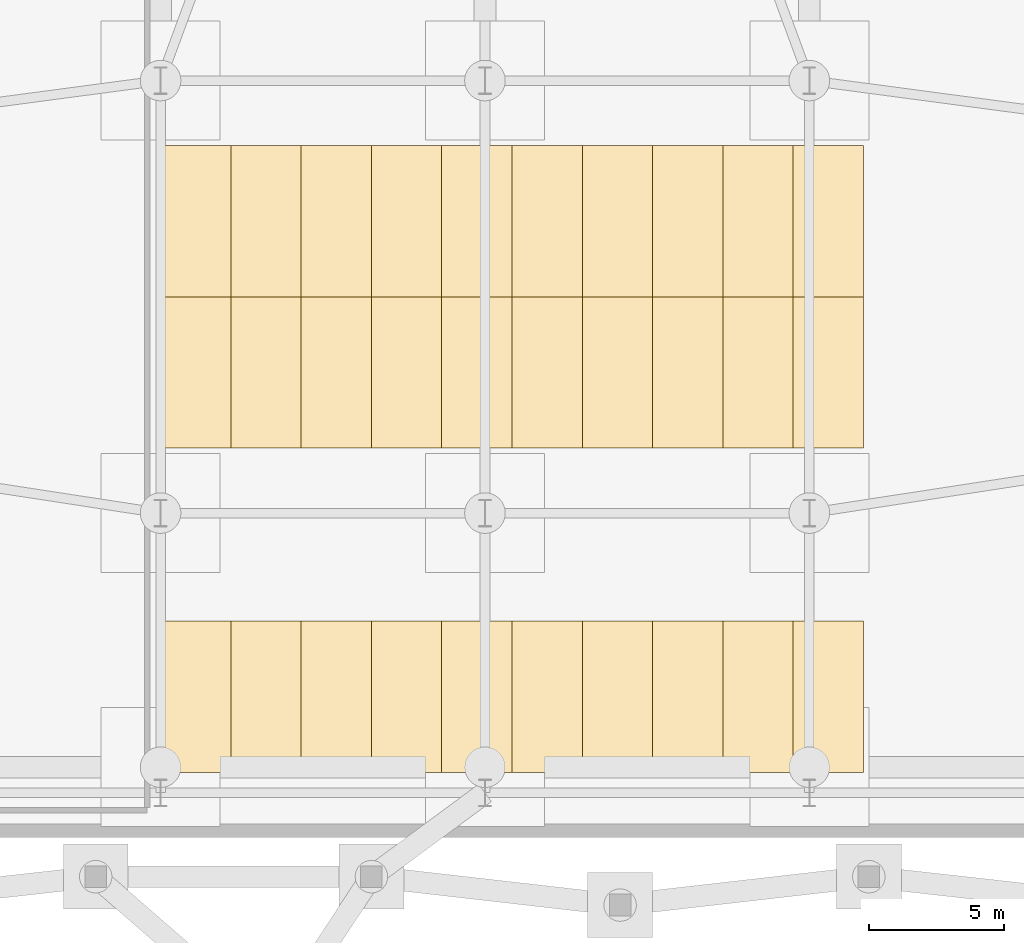
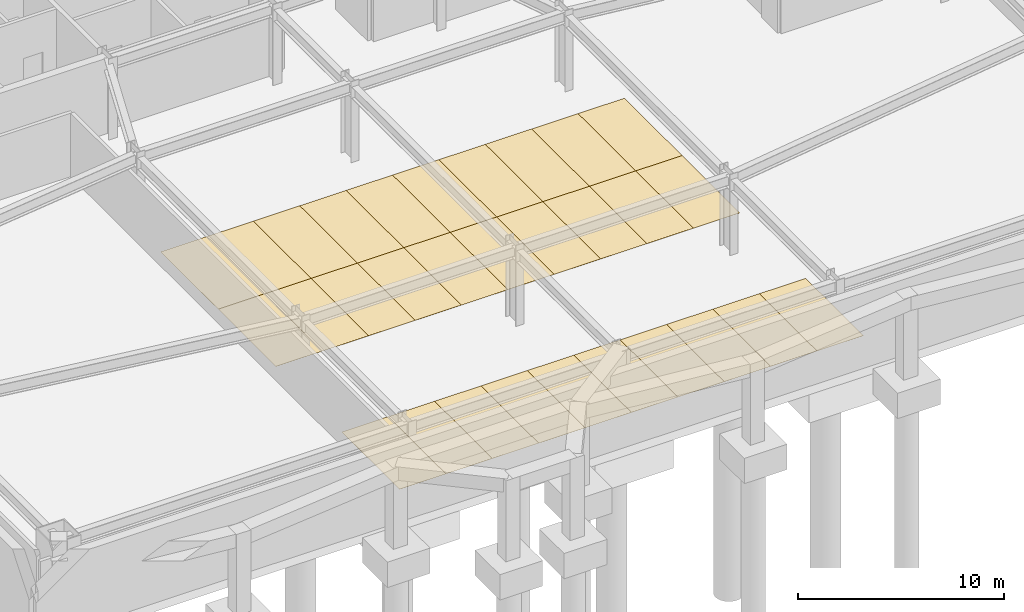
# One storey, part 9 of 12: 30 coverings.
"""IFC4 building model written with IfcOpenShell, lengths in metres."""

import ifcopenshell
import ifcopenshell.guid

model = None  # the IFC model being written
_history = None  # IfcOwnerHistory: only IFC2X3 demands one
_inside = {}  # id of a spatial element -> (the spatial element, [elements in it])
_under = {}  # id of a project, library or spatial element -> (it, [spatial elements below it])
_declared = {}  # id of a project -> (the project, [libraries it declares])
_typed = {}  # id of a type object -> (the type object, [elements of that type])
_made_of = {}  # id of a material, layer set ... -> (it, [elements and type objects made of it])


def new_model(schema):
    """Start an empty IFC model of exactly this schema.

    Asked for "IFC4X3", IfcOpenShell would pick the latest addendum, in which some entities
    have other attributes; the version numbers below select the first issue.
    IFC2X3 requires an IfcOwnerHistory on every rooted entity: one is made here for all.
    """
    global model, _history
    if schema == "IFC4X3":
        model = ifcopenshell.file(schema_version=(4, 3, 0, 0))
    else:
        model = ifcopenshell.file(schema=schema)
    _inside.clear()
    _under.clear()
    _declared.clear()
    _typed.clear()
    _made_of.clear()
    _history = None
    if model.schema == "IFC2X3":
        org = make("IfcOrganization", Name="unknown")
        user = make(
            "IfcPersonAndOrganization",
            ThePerson=make("IfcPerson", FamilyName="unknown"),
            TheOrganization=org,
        )
        app = make(
            "IfcApplication",
            ApplicationDeveloper=org,
            Version="unknown",
            ApplicationFullName="unknown",
            ApplicationIdentifier="unknown",
        )
        _history = make(
            "IfcOwnerHistory",
            OwningUser=user,
            OwningApplication=app,
            ChangeAction="ADDED",
            CreationDate=0,
        )
    return model


def make(cls, **values):
    """One entity of the class cls with the attributes given. An attribute that is None is left unset."""
    return model.create_entity(
        cls, **{name: value for name, value in values.items() if value is not None}
    )


def rooted(cls, **values):
    """An entity with a GlobalId (a new one), such as an element, a storey or a relation."""
    return make(cls, GlobalId=ifcopenshell.guid.new(), OwnerHistory=_history, **values)


def si_unit(unit_type, name, prefix=None):
    """IfcSIUnit, for example si_unit("LENGTHUNIT", "METRE", prefix="MILLI")."""
    return make("IfcSIUnit", UnitType=unit_type, Prefix=prefix, Name=name)


def assignment(units):
    """IfcUnitAssignment: the units of a project."""
    return None if units is None else make("IfcUnitAssignment", Units=units)


def point(xyz):
    """IfcCartesianPoint."""
    return None if xyz is None else make("IfcCartesianPoint", Coordinates=xyz)


def direction(xyz):
    """IfcDirection."""
    return None if xyz is None else make("IfcDirection", DirectionRatios=xyz)


def frame(location, z_axis=None, x_axis=None):
    """IfcAxis2Placement3D, a coordinate frame: its origin and axes. An axis left out is left unset."""
    return make(
        "IfcAxis2Placement3D",
        Location=point(location),
        Axis=direction(z_axis),
        RefDirection=direction(x_axis),
    )


def origin():
    """The frame at (0, 0, 0) with its axes left unset."""
    return frame((0.0, 0.0, 0.0))


def place(relative_to, where):
    """IfcLocalPlacement: puts the frame where relative to a parent placement (None: the world)."""
    return make(
        "IfcLocalPlacement", PlacementRelTo=relative_to, RelativePlacement=where
    )


def context(
    kind, dimensions, precision=None, world=None, true_north=None, identifier=None
):
    """IfcGeometricRepresentationContext, for example the 3D "Model" context."""
    return make(
        "IfcGeometricRepresentationContext",
        ContextIdentifier=identifier,
        ContextType=kind,
        CoordinateSpaceDimension=dimensions,
        Precision=precision,
        WorldCoordinateSystem=world,
        TrueNorth=true_north,
    )


def subcontext(parent, identifier, kind, view, scale=None):
    """IfcGeometricRepresentationSubContext, for example "Body" below "Model"."""
    return make(
        "IfcGeometricRepresentationSubContext",
        ContextIdentifier=identifier,
        ContextType=kind,
        ParentContext=parent,
        TargetScale=scale,
        TargetView=view,
    )


def project(units=None, contexts=None):
    """IfcProject with its units and contexts."""
    return rooted(
        "IfcProject",
        Name="project",
        RepresentationContexts=contexts,
        UnitsInContext=assignment(units),
    )


def spatial(cls, under=None, at=None, **own):
    """A site, building, storey or space (cls), placed at a placement, below another one or the project."""
    s = rooted(cls, ObjectPlacement=at, **own)
    if under is not None:
        _under.setdefault(under.id(), (under, []))[1].append(s)
    return s


def polyline(points):
    """IfcPolyline through the points."""
    return make("IfcPolyline", Points=[point(p) for p in points])


def outline(outer, holes=None, kind="AREA"):
    """IfcArbitraryClosedProfileDef: a profile drawn as a closed curve; with holes, ...WithVoids."""
    if holes is None:
        return make("IfcArbitraryClosedProfileDef", ProfileType=kind, OuterCurve=outer)
    return make(
        "IfcArbitraryProfileDefWithVoids",
        ProfileType=kind,
        OuterCurve=outer,
        InnerCurves=holes,
    )


def extrude(swept, where, along, depth):
    """IfcExtrudedAreaSolid: the profile swept, set in the frame where, extruded along a direction by depth."""
    return make(
        "IfcExtrudedAreaSolid",
        SweptArea=swept,
        Position=where,
        ExtrudedDirection=direction(along),
        Depth=depth,
    )


def shape(context_of_items, identifier, shape_type, items):
    """IfcShapeRepresentation: the items that make up one representation, for example the "Body"."""
    return make(
        "IfcShapeRepresentation",
        ContextOfItems=context_of_items,
        RepresentationIdentifier=identifier,
        RepresentationType=shape_type,
        Items=items,
    )


def material(Name=None, Category=None):
    """IfcMaterial."""
    return make("IfcMaterial", Name=Name, Category=Category)


def layer(
    of_material, thickness, ventilated=None, Name=None, Category=None, Priority=None
):
    """IfcMaterialLayer: one layer of a wall or slab, of a material (None: an air gap)."""
    return make(
        "IfcMaterialLayer",
        Material=of_material,
        LayerThickness=thickness,
        IsVentilated=ventilated,
        Name=Name,
        Category=Category,
        Priority=Priority,
    )


def layer_set(layers, Name=None):
    """IfcMaterialLayerSet."""
    return make("IfcMaterialLayerSet", MaterialLayers=layers, LayerSetName=Name)


def made_of(thing, what):
    """Note that an element or type object is made of a material, layer set ...; save() writes the relation."""
    if what is not None:
        _made_of.setdefault(what.id(), (what, []))[1].append(thing)
    return thing


def type_object(cls, material=None, **own):
    """A type object (cls), such as IfcWallType, which elements share."""
    return made_of(rooted(cls, **own), material)


def element(
    cls,
    number,
    at=None,
    inside=None,
    cuts=None,
    type_object=None,
    material=None,
    context=None,
    identifier="Body",
    shape_type=None,
    held_by="IfcProductDefinitionShape",
    body=None,
    shapes=None,
    **own,
):
    """One element of the class cls, such as IfcWall. Its Tag is "e" and its number.

    at: its placement. inside: the storey or other place that contains it. cuts: it is an
    opening in that element (IfcRelVoidsElement). A single representation is given by context,
    identifier, shape_type and body (its items); several are given by shapes. held_by: the class
    of the entity that holds the representations. save() writes the other relations.
    """
    e = rooted(cls, Tag="e%d" % number, ObjectPlacement=at, **own)
    if body is not None:
        shapes = [shape(context, identifier, shape_type, body)]
    if shapes is not None:
        e.Representation = make(held_by, Representations=shapes)
    if inside is not None:
        _inside.setdefault(inside.id(), (inside, []))[1].append(e)
    if cuts is not None:
        rooted(
            "IfcRelVoidsElement", RelatingBuildingElement=cuts, RelatedOpeningElement=e
        )
    if type_object is not None:
        _typed.setdefault(type_object.id(), (type_object, []))[1].append(e)
    return made_of(e, material)


def aggregate(whole, parts):
    """IfcRelAggregates: a whole, such as a stair, and the parts it consists of."""
    return rooted("IfcRelAggregates", RelatingObject=whole, RelatedObjects=parts)


def save(model, path):
    """Write the relations noted so far, then the file.

    IfcRelAggregates (storeys below a building ...), IfcRelContainedInSpatialStructure (elements
    in a storey), IfcRelDefinesByType, IfcRelAssociatesMaterial and IfcRelDeclares: one each for
    every whole, place, type object, material and project.
    """
    for whole, parts in _under.values():
        aggregate(whole, parts)
    for where, things in _inside.values():
        rooted(
            "IfcRelContainedInSpatialStructure",
            RelatedElements=things,
            RelatingStructure=where,
        )
    for kind, things in _typed.values():
        rooted("IfcRelDefinesByType", RelatedObjects=things, RelatingType=kind)
    for what, things in _made_of.values():
        rooted("IfcRelAssociatesMaterial", RelatedObjects=things, RelatingMaterial=what)
    for by, libraries in _declared.values():
        rooted("IfcRelDeclares", RelatingContext=by, RelatedDefinitions=libraries)
    model.write(path)


model = new_model("IFC4")

# Units and contexts
model_context = context("Model", 3, precision=1e-05, world=origin(), true_north=direction((0.0, 1.0)))
body_context = subcontext(model_context, "Body", "Model", "MODEL_VIEW")
ifc_project = project(units=[si_unit("LENGTHUNIT", "METRE"), si_unit("AREAUNIT", "SQUARE_METRE"), si_unit("VOLUMEUNIT", "CUBIC_METRE"), si_unit("PLANEANGLEUNIT", "RADIAN"), si_unit("MASSUNIT", "GRAM", prefix="KILO")], contexts=[model_context])

# Site, building, storey
site_placement = place(None, origin())
site = spatial("IfcSite", under=ifc_project, at=site_placement, CompositionType="ELEMENT")
building_placement = place(site_placement, origin())
building = spatial("IfcBuilding", under=site, at=building_placement, Name="Varnel Quay Broadcast Tower", CompositionType="ELEMENT")
storey_placement = place(building_placement, frame((0.0, 0.0, -9.60009765625)))
storey = spatial("IfcBuildingStorey", under=building, at=storey_placement, Name="B2", CompositionType="ELEMENT", Elevation=-9.60009765625)

# Coverings
ifc_material = material(Name="Traffic Marking Paint")
ifc_layer = layer(ifc_material, 0.0048828125, Name="Traffic Marking Paint")
ifc_layer_set = layer_set([ifc_layer], Name="Traffic Marking Paint")
covering_type = type_object("IfcCoveringType", Name="Cov_ParkingStallB2Std", PredefinedType="USERDEFINED", material=ifc_layer_set)
covering_1_placement = place(storey_placement, origin())
element("IfcCovering", 1, at=covering_1_placement, inside=storey, type_object=covering_type, Name="Parking stall marking B2-01", ObjectType="PARKING STALL MARKING", PredefinedType="USERDEFINED", context=body_context, shape_type="SweptSolid", body=[
    extrude(outline(polyline([(22.0, 2.39990234375), (24.60009765625, 2.39990234375), (24.60009765625, 8.0), (22.0, 8.0), (22.0, 2.39990234375)])), origin(), (0.0, 0.0, 1.0), 0.005126953125),
])
covering_2_placement = place(storey_placement, origin())
element("IfcCovering", 2, at=covering_2_placement, inside=storey, type_object=covering_type, Name="Parking stall marking B2-02", ObjectType="PARKING STALL MARKING", PredefinedType="USERDEFINED", context=body_context, shape_type="SweptSolid", body=[
    extrude(outline(polyline([(24.60009765625, 2.39990234375), (27.199951171875, 2.39990234375), (27.199951171875, 8.0), (24.60009765625, 8.0), (24.60009765625, 2.39990234375)])), origin(), (0.0, 0.0, 1.0), 0.005126953125),
])
covering_3_placement = place(storey_placement, origin())
element("IfcCovering", 3, at=covering_3_placement, inside=storey, type_object=covering_type, Name="Parking stall marking B2-03", ObjectType="PARKING STALL MARKING", PredefinedType="USERDEFINED", context=body_context, shape_type="SweptSolid", body=[
    extrude(outline(polyline([(27.199951171875, 2.39990234375), (29.800048828125, 2.39990234375), (29.800048828125, 8.0), (27.199951171875, 8.0), (27.199951171875, 2.39990234375)])), origin(), (0.0, 0.0, 1.0), 0.005126953125),
])
covering_4_placement = place(storey_placement, origin())
element("IfcCovering", 4, at=covering_4_placement, inside=storey, type_object=covering_type, Name="Parking stall marking B2-04", ObjectType="PARKING STALL MARKING", PredefinedType="USERDEFINED", context=body_context, shape_type="SweptSolid", body=[
    extrude(outline(polyline([(29.800048828125, 2.39990234375), (32.39990234375, 2.39990234375), (32.39990234375, 8.0), (29.800048828125, 8.0), (29.800048828125, 2.39990234375)])), origin(), (0.0, 0.0, 1.0), 0.005126953125),
])
covering_5_placement = place(storey_placement, origin())
element("IfcCovering", 5, at=covering_5_placement, inside=storey, type_object=covering_type, Name="Parking stall marking B2-05", ObjectType="PARKING STALL MARKING", PredefinedType="USERDEFINED", context=body_context, shape_type="SweptSolid", body=[
    extrude(outline(polyline([(32.39990234375, 2.39990234375), (35.0, 2.39990234375), (35.0, 8.0), (32.39990234375, 8.0), (32.39990234375, 2.39990234375)])), origin(), (0.0, 0.0, 1.0), 0.005126953125),
])
covering_6_placement = place(storey_placement, origin())
element("IfcCovering", 6, at=covering_6_placement, inside=storey, type_object=covering_type, Name="Parking stall marking B2-06", ObjectType="PARKING STALL MARKING", PredefinedType="USERDEFINED", context=body_context, shape_type="SweptSolid", body=[
    extrude(outline(polyline([(35.0, 2.39990234375), (37.60009765625, 2.39990234375), (37.60009765625, 8.0), (35.0, 8.0), (35.0, 2.39990234375)])), origin(), (0.0, 0.0, 1.0), 0.005126953125),
])
covering_7_placement = place(storey_placement, origin())
element("IfcCovering", 7, at=covering_7_placement, inside=storey, type_object=covering_type, Name="Parking stall marking B2-07", ObjectType="PARKING STALL MARKING", PredefinedType="USERDEFINED", context=body_context, shape_type="SweptSolid", body=[
    extrude(outline(polyline([(37.60009765625, 2.39990234375), (40.199951171875, 2.39990234375), (40.199951171875, 8.0), (37.60009765625, 8.0), (37.60009765625, 2.39990234375)])), origin(), (0.0, 0.0, 1.0), 0.005126953125),
])
covering_8_placement = place(storey_placement, origin())
element("IfcCovering", 8, at=covering_8_placement, inside=storey, type_object=covering_type, Name="Parking stall marking B2-08", ObjectType="PARKING STALL MARKING", PredefinedType="USERDEFINED", context=body_context, shape_type="SweptSolid", body=[
    extrude(outline(polyline([(40.199951171875, 2.39990234375), (42.800048828125, 2.39990234375), (42.800048828125, 8.0), (40.199951171875, 8.0), (40.199951171875, 2.39990234375)])), origin(), (0.0, 0.0, 1.0), 0.005126953125),
])
covering_9_placement = place(storey_placement, origin())
element("IfcCovering", 9, at=covering_9_placement, inside=storey, type_object=covering_type, Name="Parking stall marking B2-09", ObjectType="PARKING STALL MARKING", PredefinedType="USERDEFINED", context=body_context, shape_type="SweptSolid", body=[
    extrude(outline(polyline([(42.800048828125, 2.39990234375), (45.39990234375, 2.39990234375), (45.39990234375, 8.0), (42.800048828125, 8.0), (42.800048828125, 2.39990234375)])), origin(), (0.0, 0.0, 1.0), 0.005126953125),
])
covering_10_placement = place(storey_placement, origin())
element("IfcCovering", 10, at=covering_10_placement, inside=storey, type_object=covering_type, Name="Parking stall marking B2-10", ObjectType="PARKING STALL MARKING", PredefinedType="USERDEFINED", context=body_context, shape_type="SweptSolid", body=[
    extrude(outline(polyline([(45.39990234375, 2.39990234375), (48.0, 2.39990234375), (48.0, 8.0), (45.39990234375, 8.0), (45.39990234375, 2.39990234375)])), origin(), (0.0, 0.0, 1.0), 0.005126953125),
])
covering_11_placement = place(storey_placement, origin())
element("IfcCovering", 11, at=covering_11_placement, inside=storey, type_object=covering_type, Name="Parking stall marking B2-11", ObjectType="PARKING STALL MARKING", PredefinedType="USERDEFINED", context=body_context, shape_type="SweptSolid", body=[
    extrude(outline(polyline([(22.0, 14.39990234375), (24.60009765625, 14.39990234375), (24.60009765625, 20.0), (22.0, 20.0), (22.0, 14.39990234375)])), origin(), (0.0, 0.0, 1.0), 0.005126953125),
])
covering_12_placement = place(storey_placement, origin())
element("IfcCovering", 12, at=covering_12_placement, inside=storey, type_object=covering_type, Name="Parking stall marking B2-12", ObjectType="PARKING STALL MARKING", PredefinedType="USERDEFINED", context=body_context, shape_type="SweptSolid", body=[
    extrude(outline(polyline([(24.60009765625, 14.39990234375), (27.199951171875, 14.39990234375), (27.199951171875, 20.0), (24.60009765625, 20.0), (24.60009765625, 14.39990234375)])), origin(), (0.0, 0.0, 1.0), 0.005126953125),
])
covering_13_placement = place(storey_placement, origin())
element("IfcCovering", 13, at=covering_13_placement, inside=storey, type_object=covering_type, Name="Parking stall marking B2-13", ObjectType="PARKING STALL MARKING", PredefinedType="USERDEFINED", context=body_context, shape_type="SweptSolid", body=[
    extrude(outline(polyline([(27.199951171875, 14.39990234375), (29.800048828125, 14.39990234375), (29.800048828125, 20.0), (27.199951171875, 20.0), (27.199951171875, 14.39990234375)])), origin(), (0.0, 0.0, 1.0), 0.005126953125),
])
covering_14_placement = place(storey_placement, origin())
element("IfcCovering", 14, at=covering_14_placement, inside=storey, type_object=covering_type, Name="Parking stall marking B2-14", ObjectType="PARKING STALL MARKING", PredefinedType="USERDEFINED", context=body_context, shape_type="SweptSolid", body=[
    extrude(outline(polyline([(29.800048828125, 14.39990234375), (32.39990234375, 14.39990234375), (32.39990234375, 20.0), (29.800048828125, 20.0), (29.800048828125, 14.39990234375)])), origin(), (0.0, 0.0, 1.0), 0.005126953125),
])
covering_15_placement = place(storey_placement, origin())
element("IfcCovering", 15, at=covering_15_placement, inside=storey, type_object=covering_type, Name="Parking stall marking B2-15", ObjectType="PARKING STALL MARKING", PredefinedType="USERDEFINED", context=body_context, shape_type="SweptSolid", body=[
    extrude(outline(polyline([(32.39990234375, 14.39990234375), (35.0, 14.39990234375), (35.0, 20.0), (32.39990234375, 20.0), (32.39990234375, 14.39990234375)])), origin(), (0.0, 0.0, 1.0), 0.005126953125),
])
covering_16_placement = place(storey_placement, origin())
element("IfcCovering", 16, at=covering_16_placement, inside=storey, type_object=covering_type, Name="Parking stall marking B2-16", ObjectType="PARKING STALL MARKING", PredefinedType="USERDEFINED", context=body_context, shape_type="SweptSolid", body=[
    extrude(outline(polyline([(35.0, 14.39990234375), (37.60009765625, 14.39990234375), (37.60009765625, 20.0), (35.0, 20.0), (35.0, 14.39990234375)])), origin(), (0.0, 0.0, 1.0), 0.005126953125),
])
covering_17_placement = place(storey_placement, origin())
element("IfcCovering", 17, at=covering_17_placement, inside=storey, type_object=covering_type, Name="Parking stall marking B2-17", ObjectType="PARKING STALL MARKING", PredefinedType="USERDEFINED", context=body_context, shape_type="SweptSolid", body=[
    extrude(outline(polyline([(37.60009765625, 14.39990234375), (40.199951171875, 14.39990234375), (40.199951171875, 20.0), (37.60009765625, 20.0), (37.60009765625, 14.39990234375)])), origin(), (0.0, 0.0, 1.0), 0.005126953125),
])
covering_18_placement = place(storey_placement, origin())
element("IfcCovering", 18, at=covering_18_placement, inside=storey, type_object=covering_type, Name="Parking stall marking B2-18", ObjectType="PARKING STALL MARKING", PredefinedType="USERDEFINED", context=body_context, shape_type="SweptSolid", body=[
    extrude(outline(polyline([(40.199951171875, 14.39990234375), (42.800048828125, 14.39990234375), (42.800048828125, 20.0), (40.199951171875, 20.0), (40.199951171875, 14.39990234375)])), origin(), (0.0, 0.0, 1.0), 0.005126953125),
])
covering_19_placement = place(storey_placement, origin())
element("IfcCovering", 19, at=covering_19_placement, inside=storey, type_object=covering_type, Name="Parking stall marking B2-19", ObjectType="PARKING STALL MARKING", PredefinedType="USERDEFINED", context=body_context, shape_type="SweptSolid", body=[
    extrude(outline(polyline([(42.800048828125, 14.39990234375), (45.39990234375, 14.39990234375), (45.39990234375, 20.0), (42.800048828125, 20.0), (42.800048828125, 14.39990234375)])), origin(), (0.0, 0.0, 1.0), 0.005126953125),
])
covering_20_placement = place(storey_placement, origin())
element("IfcCovering", 20, at=covering_20_placement, inside=storey, type_object=covering_type, Name="Parking stall marking B2-20", ObjectType="PARKING STALL MARKING", PredefinedType="USERDEFINED", context=body_context, shape_type="SweptSolid", body=[
    extrude(outline(polyline([(45.39990234375, 14.39990234375), (48.0, 14.39990234375), (48.0, 20.0), (45.39990234375, 20.0), (45.39990234375, 14.39990234375)])), origin(), (0.0, 0.0, 1.0), 0.005126953125),
])
covering_21_placement = place(storey_placement, origin())
element("IfcCovering", 21, at=covering_21_placement, inside=storey, type_object=covering_type, Name="Parking stall marking B2-21", ObjectType="PARKING STALL MARKING", PredefinedType="USERDEFINED", context=body_context, shape_type="SweptSolid", body=[
    extrude(outline(polyline([(22.0, 20.0), (24.60009765625, 20.0), (24.60009765625, 25.60009765625), (22.0, 25.60009765625), (22.0, 20.0)])), origin(), (0.0, 0.0, 1.0), 0.005126953125),
])
covering_22_placement = place(storey_placement, origin())
element("IfcCovering", 22, at=covering_22_placement, inside=storey, type_object=covering_type, Name="Parking stall marking B2-22", ObjectType="PARKING STALL MARKING", PredefinedType="USERDEFINED", context=body_context, shape_type="SweptSolid", body=[
    extrude(outline(polyline([(24.60009765625, 20.0), (27.199951171875, 20.0), (27.199951171875, 25.60009765625), (24.60009765625, 25.60009765625), (24.60009765625, 20.0)])), origin(), (0.0, 0.0, 1.0), 0.005126953125),
])
covering_23_placement = place(storey_placement, origin())
element("IfcCovering", 23, at=covering_23_placement, inside=storey, type_object=covering_type, Name="Parking stall marking B2-23", ObjectType="PARKING STALL MARKING", PredefinedType="USERDEFINED", context=body_context, shape_type="SweptSolid", body=[
    extrude(outline(polyline([(27.199951171875, 20.0), (29.800048828125, 20.0), (29.800048828125, 25.60009765625), (27.199951171875, 25.60009765625), (27.199951171875, 20.0)])), origin(), (0.0, 0.0, 1.0), 0.005126953125),
])
covering_24_placement = place(storey_placement, origin())
element("IfcCovering", 24, at=covering_24_placement, inside=storey, type_object=covering_type, Name="Parking stall marking B2-24", ObjectType="PARKING STALL MARKING", PredefinedType="USERDEFINED", context=body_context, shape_type="SweptSolid", body=[
    extrude(outline(polyline([(29.800048828125, 20.0), (32.39990234375, 20.0), (32.39990234375, 25.60009765625), (29.800048828125, 25.60009765625), (29.800048828125, 20.0)])), origin(), (0.0, 0.0, 1.0), 0.005126953125),
])
covering_25_placement = place(storey_placement, origin())
element("IfcCovering", 25, at=covering_25_placement, inside=storey, type_object=covering_type, Name="Parking stall marking B2-25", ObjectType="PARKING STALL MARKING", PredefinedType="USERDEFINED", context=body_context, shape_type="SweptSolid", body=[
    extrude(outline(polyline([(32.39990234375, 20.0), (35.0, 20.0), (35.0, 25.60009765625), (32.39990234375, 25.60009765625), (32.39990234375, 20.0)])), origin(), (0.0, 0.0, 1.0), 0.005126953125),
])
covering_26_placement = place(storey_placement, origin())
element("IfcCovering", 26, at=covering_26_placement, inside=storey, type_object=covering_type, Name="Parking stall marking B2-26", ObjectType="PARKING STALL MARKING", PredefinedType="USERDEFINED", context=body_context, shape_type="SweptSolid", body=[
    extrude(outline(polyline([(35.0, 20.0), (37.60009765625, 20.0), (37.60009765625, 25.60009765625), (35.0, 25.60009765625), (35.0, 20.0)])), origin(), (0.0, 0.0, 1.0), 0.005126953125),
])
covering_27_placement = place(storey_placement, origin())
element("IfcCovering", 27, at=covering_27_placement, inside=storey, type_object=covering_type, Name="Parking stall marking B2-27", ObjectType="PARKING STALL MARKING", PredefinedType="USERDEFINED", context=body_context, shape_type="SweptSolid", body=[
    extrude(outline(polyline([(37.60009765625, 20.0), (40.199951171875, 20.0), (40.199951171875, 25.60009765625), (37.60009765625, 25.60009765625), (37.60009765625, 20.0)])), origin(), (0.0, 0.0, 1.0), 0.005126953125),
])
covering_28_placement = place(storey_placement, origin())
element("IfcCovering", 28, at=covering_28_placement, inside=storey, type_object=covering_type, Name="Parking stall marking B2-28", ObjectType="PARKING STALL MARKING", PredefinedType="USERDEFINED", context=body_context, shape_type="SweptSolid", body=[
    extrude(outline(polyline([(40.199951171875, 20.0), (42.800048828125, 20.0), (42.800048828125, 25.60009765625), (40.199951171875, 25.60009765625), (40.199951171875, 20.0)])), origin(), (0.0, 0.0, 1.0), 0.005126953125),
])
covering_29_placement = place(storey_placement, origin())
element("IfcCovering", 29, at=covering_29_placement, inside=storey, type_object=covering_type, Name="Parking stall marking B2-29", ObjectType="PARKING STALL MARKING", PredefinedType="USERDEFINED", context=body_context, shape_type="SweptSolid", body=[
    extrude(outline(polyline([(42.800048828125, 20.0), (45.39990234375, 20.0), (45.39990234375, 25.60009765625), (42.800048828125, 25.60009765625), (42.800048828125, 20.0)])), origin(), (0.0, 0.0, 1.0), 0.005126953125),
])
covering_30_placement = place(storey_placement, origin())
element("IfcCovering", 30, at=covering_30_placement, inside=storey, type_object=covering_type, Name="Parking stall marking B2-30", ObjectType="PARKING STALL MARKING", PredefinedType="USERDEFINED", context=body_context, shape_type="SweptSolid", body=[
    extrude(outline(polyline([(45.39990234375, 20.0), (48.0, 20.0), (48.0, 25.60009765625), (45.39990234375, 25.60009765625), (45.39990234375, 20.0)])), origin(), (0.0, 0.0, 1.0), 0.005126953125),
])

save(model, "model.ifc")
